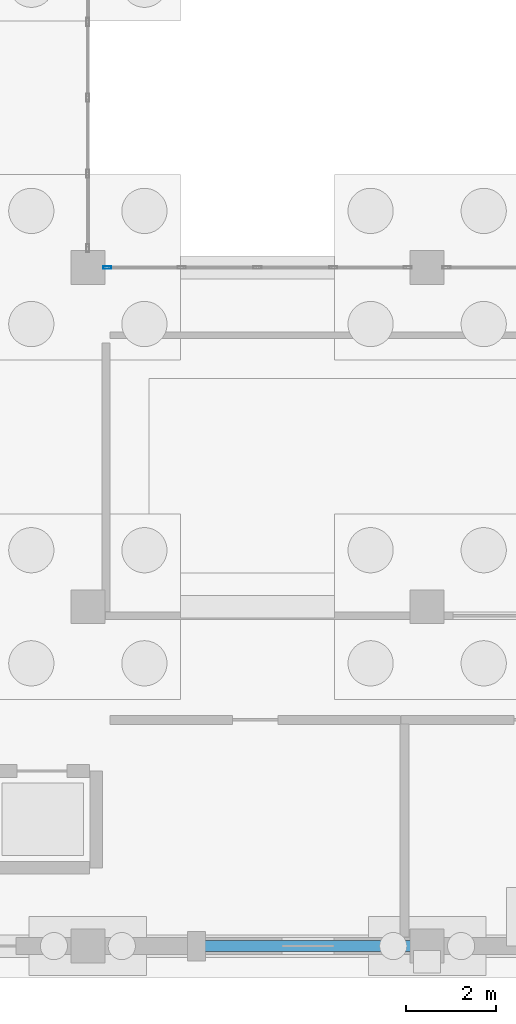
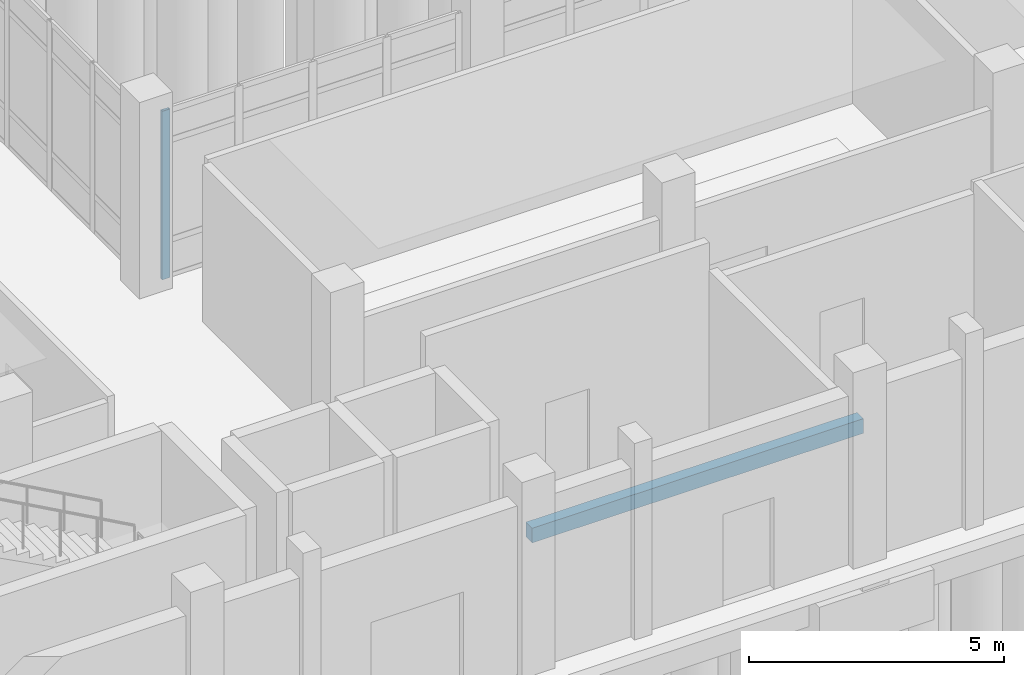
# One storey, part 25 of 173: 1 beam, 1 member, 1 element without a shape of its own.
"""IFC4 building model written with IfcOpenShell, lengths in metres."""

from ifc_helpers import new_model, si_unit, direction, frame, origin, origin_2d, place, context, subcontext, project, spatial, rectangle, hollow_rectangle, extrude, material, layer, layer_set, material_profile, profile_set, type_object, element, aggregate, save


model = new_model("IFC4")

# Units and contexts
model_context = context("Model", 3, precision=1e-05, world=origin(), true_north=direction((0.0, 1.0)))
body_context = subcontext(model_context, "Body", "Model", "MODEL_VIEW")
ifc_project = project(units=[si_unit("LENGTHUNIT", "METRE"), si_unit("AREAUNIT", "SQUARE_METRE"), si_unit("VOLUMEUNIT", "CUBIC_METRE"), si_unit("PLANEANGLEUNIT", "RADIAN"), si_unit("MASSUNIT", "GRAM", prefix="KILO")], contexts=[model_context])

# Site, building, storey
site_placement = place(None, origin())
site = spatial("IfcSite", under=ifc_project, at=site_placement, CompositionType="ELEMENT")
building_placement = place(site_placement, origin())
building = spatial("IfcBuilding", under=site, at=building_placement, Name="Mawjan Specialist Oncology Clinic", CompositionType="ELEMENT")
storey_placement = place(building_placement, origin())
storey = spatial("IfcBuildingStorey", under=building, at=storey_placement, Name="L00", CompositionType="ELEMENT", Elevation=0.0)

# Curtain wall, member
ifc_material_1 = material(Name="Unitised spectrally selective aluminium curtain wall", Category="aluminium")
ifc_layer = layer(ifc_material_1, 0.179931640625, Name="Unitised spectrally selective aluminium curtain wall", Category="aluminium")
ifc_layer_set = layer_set([ifc_layer], Name="Unitised spectrally selective aluminium curtain wall")
curtain_wall_type = type_object("IfcCurtainWallType", Name="CW-02", PredefinedType="NOTDEFINED", material=ifc_layer_set)
curtain_wall_placement = place(storey_placement, origin())
curtain_wall = element("IfcCurtainWall", 1, at=curtain_wall_placement, inside=storey, type_object=curtain_wall_type, Name="L00 Unitised Curtain Wall CW-L00-048", PredefinedType="NOTDEFINED")
ifc_material_2 = material(Name="Thermally broken aluminium 6063-T6", Category="aluminium")
ifc_material_profile_1 = material_profile(ifc_material_2, hollow_rectangle(XDim=0.06494140625, YDim=0.179931640625, WallThickness=0.00390625, at=origin_2d()), Name="ALU MULLION 180x65x4", Category="aluminium")
ifc_profile_set_1 = profile_set([ifc_material_profile_1], Name="Thermally broken aluminium 6063-T6")
member_type = type_object("IfcMemberType", Name="CW-M180", PredefinedType="MULLION", material=ifc_profile_set_1)
member_placement = place(storey_placement, frame((15.427490234375, 15.800048828125, 0.0), z_axis=(0.0, 0.0, 1.0), x_axis=(0.0, 1.0, 0.0)))
member = element("IfcMember", 2, at=member_placement, type_object=member_type, Name="CW-02 mullion 1", PredefinedType="MULLION", context=body_context, shape_type="SweptSolid", body=[
    extrude(hollow_rectangle(XDim=0.06494140625, YDim=0.179931640625, WallThickness=0.00390625, at=origin_2d()), origin(), (0.0, 0.0, 1.0), 4.034912109375),
])
aggregate(curtain_wall, [member])

# Beam
ifc_material_3 = material(Name="Concrete C40/50", Category="concrete")
ifc_material_profile_2 = material_profile(ifc_material_3, rectangle(XDim=0.25, YDim=0.35009765625, at=origin_2d()), Name="RC LINTEL 250x350", Category="concrete")
ifc_profile_set_2 = profile_set([ifc_material_profile_2], Name="Concrete C40/50")
beam_type = type_object("IfcBeamType", Name="LNT-250", PredefinedType="LINTEL", material=ifc_profile_set_2)
beam_placement = place(storey_placement, frame((15.0, 0.800048828125, 3.14990234375), z_axis=(1.0, 0.0, 0.0), x_axis=(0.0, 1.0, 0.0)))
element("IfcBeam", 3, at=beam_placement, inside=storey, type_object=beam_type, Name="L00 Reinforced Concrete Lintel 2", PredefinedType="LINTEL", context=body_context, shape_type="SweptSolid", body=[
    extrude(rectangle(XDim=0.25, YDim=0.35009765625, at=origin_2d()), origin(), (0.0, 0.0, 1.0), 7.5),
])

save(model, "model.ifc")
